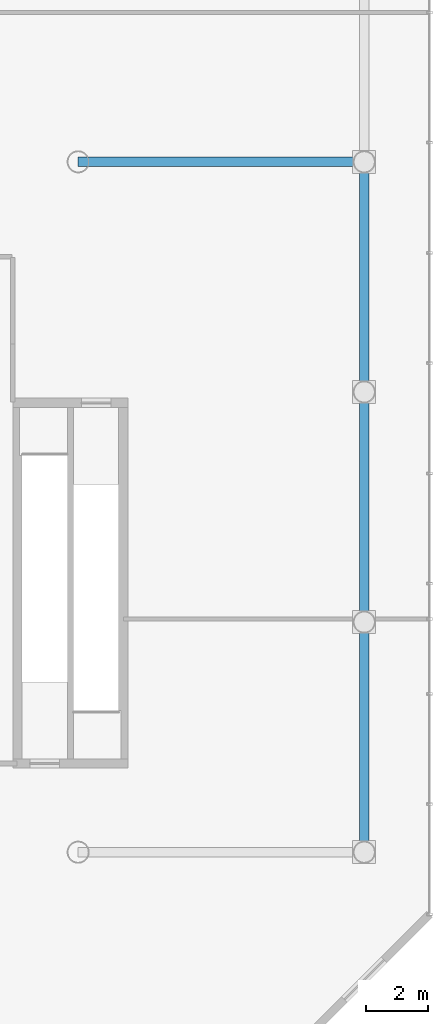
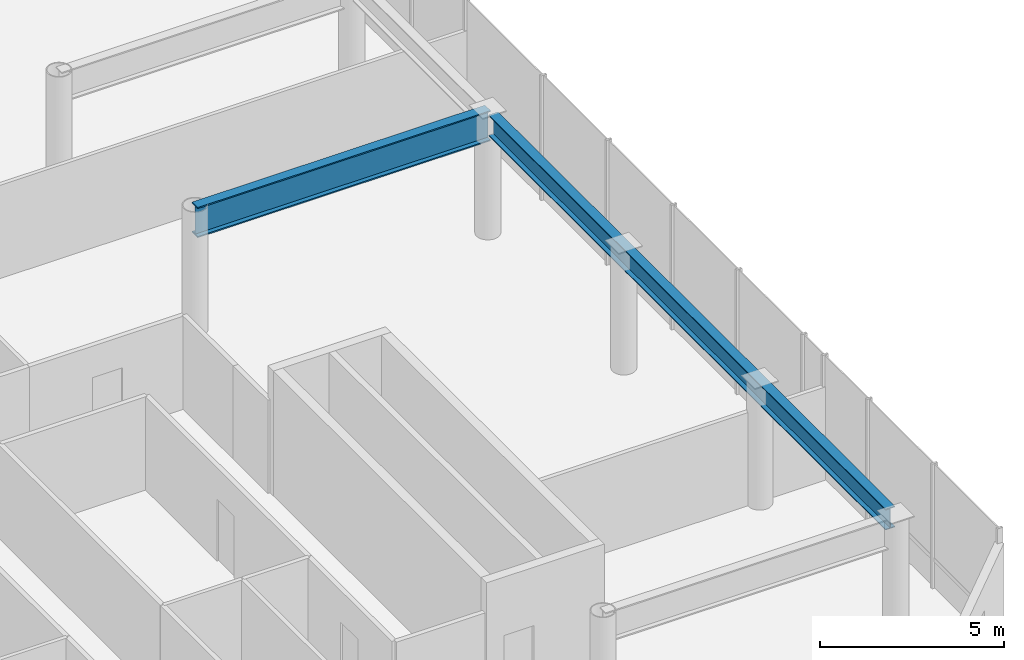
# One storey, part 30 of 43: 2 beams.
"""IFC4 building model written with IfcOpenShell, lengths in metres."""

from ifc_helpers import new_model, si_unit, direction, frame, origin, origin_2d, place, context, subcontext, project, spatial, i_section, extrude, material, material_profile, profile_set, type_object, element, save


model = new_model("IFC4")

# Units and contexts
model_context = context("Model", 3, precision=1e-05, world=origin(), true_north=direction((0.0, 1.0)))
body_context = subcontext(model_context, "Body", "Model", "MODEL_VIEW")
ifc_project = project(units=[si_unit("LENGTHUNIT", "METRE"), si_unit("AREAUNIT", "SQUARE_METRE"), si_unit("VOLUMEUNIT", "CUBIC_METRE"), si_unit("PLANEANGLEUNIT", "RADIAN"), si_unit("MASSUNIT", "GRAM", prefix="KILO")], contexts=[model_context])

# Site, building, storey
site_placement = place(None, origin())
site = spatial("IfcSite", under=ifc_project, at=site_placement, CompositionType="ELEMENT")
building_placement = place(site_placement, origin())
building = spatial("IfcBuilding", under=site, at=building_placement, Name="Zarrinselat Tower", CompositionType="ELEMENT")
storey_placement = place(building_placement, frame((0.0, 0.0, 5.10009765625)))
storey = spatial("IfcBuildingStorey", under=building, at=storey_placement, Name="L01", CompositionType="ELEMENT", Elevation=5.10009765625)

# Beams
ifc_material_1 = material(Name="Steel S355J2", Category="steel")
ifc_material_profile_1 = material_profile(ifc_material_1, i_section(OverallWidth=0.300048828125, OverallDepth=0.699951171875, WebThickness=0.01708984375, FlangeThickness=0.031982421875, at=origin_2d()), Name="HEB 700")
ifc_profile_set_1 = profile_set([ifc_material_profile_1], Name="Steel S355J2")
beam_type_1 = type_object("IfcBeamType", Name="BM-HEB700", PredefinedType="SPANDREL", material=ifc_profile_set_1)
beam_1_placement = place(storey_placement, frame((77.199951171875, 11.300048828125, 3.789794921875), z_axis=(0.0, 1.0, 0.0), x_axis=(-1.0, 0.0, 0.0)))
element("IfcBeam", 1, at=beam_1_placement, inside=storey, type_object=beam_type_1, Name="L01 Podium Perimeter Beam E-11", PredefinedType="SPANDREL", context=body_context, shape_type="SweptSolid", body=[
    extrude(i_section(OverallWidth=0.300048828125, OverallDepth=0.699951171875, WebThickness=0.01708984375, FlangeThickness=0.031982421875, at=origin_2d()), origin(), (0.0, 0.0, 1.0), 21.599853515625),
])
ifc_material_2 = material(Name="Steel S460M", Category="steel")
ifc_material_profile_2 = material_profile(ifc_material_2, i_section(OverallWidth=0.302001953125, OverallDepth=1.008056640625, WebThickness=0.02099609375, FlangeThickness=0.0400390625, at=origin_2d()), Name="HEM 1000")
ifc_profile_set_2 = profile_set([ifc_material_profile_2], Name="Steel S460M")
beam_type_2 = type_object("IfcBeamType", Name="BM-PDTR-HEM1000", PredefinedType="BEAM", material=ifc_profile_set_2)
beam_2_placement = place(storey_placement, frame((68.0, 33.199951171875, 3.635986328125), z_axis=(1.0, 0.0, 0.0), x_axis=(0.0, 1.0, 0.0)))
element("IfcBeam", 2, at=beam_2_placement, inside=storey, type_object=beam_type_2, Name="L01 Podium Transfer Girder E-33", PredefinedType="BEAM", context=body_context, shape_type="SweptSolid", body=[
    extrude(i_section(OverallWidth=0.302001953125, OverallDepth=1.008056640625, WebThickness=0.02099609375, FlangeThickness=0.0400390625, at=origin_2d()), origin(), (0.0, 0.0, 1.0), 9.199951171875),
])

save(model, "model.ifc")
